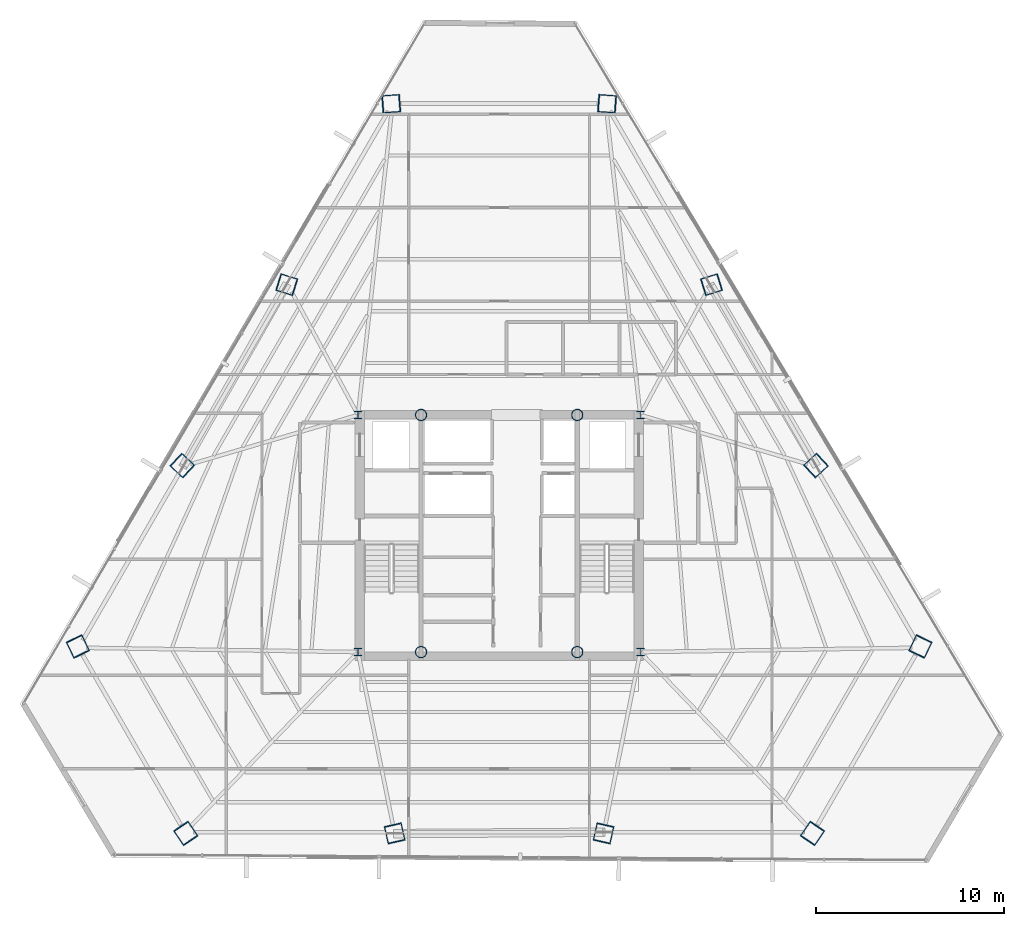
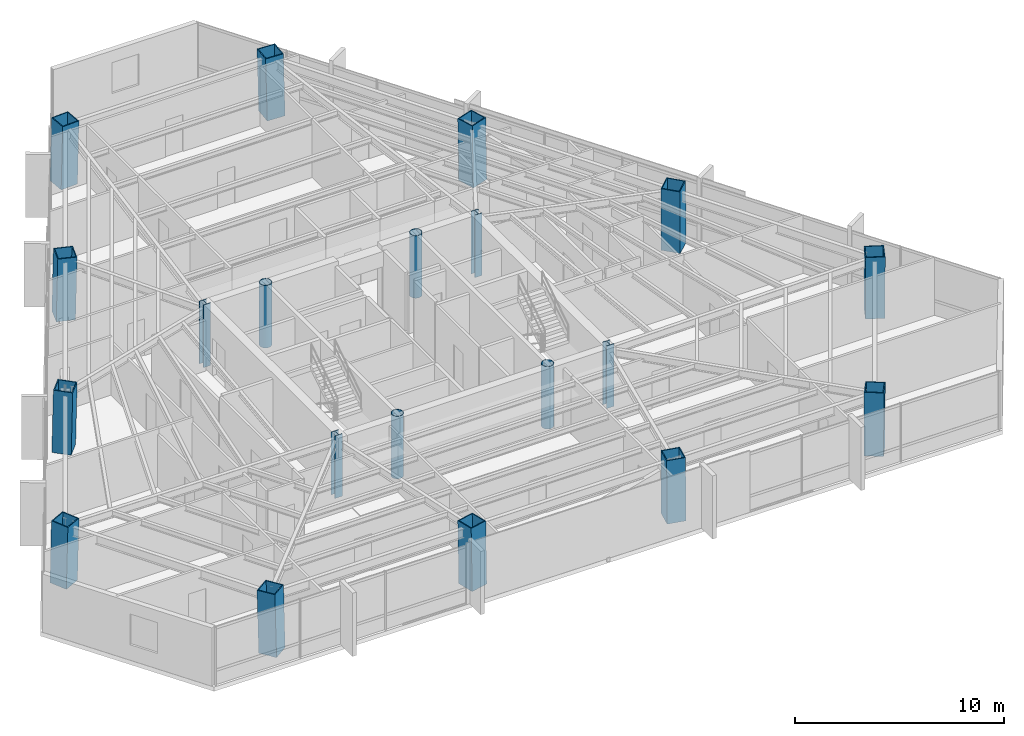
# One storey, part 1 of 40: 20 columns.
"""IFC4 building model written with IfcOpenShell, lengths in metres."""

from ifc_helpers import new_model, si_unit, direction, frame, origin, origin_2d, place, context, subcontext, project, spatial, hollow_rectangle, hollow_circle, i_section, extrude, source, transform, mapped, material, material_profile, profile_set, type_object, type_shapes, element, save


model = new_model("IFC4")

# Units and contexts
model_context = context("Model", 3, precision=1e-05, world=origin(), true_north=direction((0.0, 1.0)))
body_context = subcontext(model_context, "Body", "Model", "MODEL_VIEW")
ifc_project = project(units=[si_unit("LENGTHUNIT", "METRE"), si_unit("AREAUNIT", "SQUARE_METRE"), si_unit("VOLUMEUNIT", "CUBIC_METRE"), si_unit("PLANEANGLEUNIT", "RADIAN"), si_unit("MASSUNIT", "GRAM", prefix="KILO")], contexts=[model_context])

# Site, building, storey
site_placement = place(None, origin())
site = spatial("IfcSite", under=ifc_project, at=site_placement, CompositionType="ELEMENT")
building_placement = place(site_placement, origin())
building = spatial("IfcBuilding", under=site, at=building_placement, Name="Caelisora Broadcast Tower", CompositionType="ELEMENT")
storey_placement = place(building_placement, frame((0.0, 0.0, 176.75)))
storey = spatial("IfcBuildingStorey", under=building, at=storey_placement, Name="L46", CompositionType="ELEMENT", Elevation=176.75)

# Columns
ifc_material_1 = material(Name="Steel Grade 350 (AS/NZS 3679.2)", Category="steel")
ifc_material_profile_1 = material_profile(ifc_material_1, i_section(OverallWidth=0.39990234375, OverallDepth=0.39990234375, WebThickness=0.02001953125, FlangeThickness=0.031982421875, at=origin_2d()), Name="Steel Grade 350 (AS/NZS 3679.2)")
ifc_profile_set_1 = profile_set([ifc_material_profile_1], Name="Steel Grade 350 (AS/NZS 3679.2)")
column_type_1 = type_object("IfcColumnType", Name="CC02", PredefinedType="COLUMN", material=ifc_profile_set_1)
shared_shape_1 = source(origin(), body_context, "Body", "SweptSolid", [
    extrude(i_section(OverallWidth=0.39990234375, OverallDepth=0.39990234375, WebThickness=0.02001953125, FlangeThickness=0.031982421875, at=origin_2d()), origin(), (0.0, 0.0, 1.0), 3.64990234375),
])
type_shapes(column_type_1, [shared_shape_1])
for number, where, z_axis, x_axis, name in (
    (1, (30.5, 17.39990234375, 0.0), (0.0, 0.0, 1.0), (1.0, 0.0, 0.0), "L46 column CC02"),
    (2, (45.5, 17.39990234375, 0.0), (0.0, 0.0, 1.0), (1.0, 0.0, 0.0), "L46 column CC02"),
    (3, (45.5, 30.0, 0.0), (0.0, 0.0, 1.0), (1.0, 0.0, 0.0), "L46 column CC02"),
    (4, (30.5, 30.0, 0.0), (0.0, 0.0, 1.0), (1.0, 0.0, 0.0), "L46 column CC02"),
):
    element("IfcColumn", number, at=place(storey_placement, frame(where, z_axis=z_axis, x_axis=x_axis)), inside=storey, type_object=column_type_1, Name=name, PredefinedType="COLUMN", context=body_context, shape_type="MappedRepresentation", body=[
        mapped(shared_shape_1, transform((0.0, 0.0, 0.0), scale=1.0)),
    ])
ifc_material_2 = material(Name="Steel Grade 350 L15 (AS/NZS 3678)", Category="steel")
ifc_material_profile_2 = material_profile(ifc_material_2, hollow_circle(Radius=0.304931640625, WallThickness=0.02490234375, at=origin_2d()), Name="Steel Grade 350 L15 (AS/NZS 3678)")
ifc_profile_set_2 = profile_set([ifc_material_profile_2], Name="Steel Grade 350 L15 (AS/NZS 3678)")
column_type_2 = type_object("IfcColumnType", Name="CC06", PredefinedType="COLUMN", material=ifc_profile_set_2)
shared_shape_2 = source(origin(), body_context, "Body", "SweptSolid", [
    extrude(hollow_circle(Radius=0.304931640625, WallThickness=0.02490234375, at=origin_2d()), origin(), (0.0, 0.0, 1.0), 3.64990234375),
])
type_shapes(column_type_2, [shared_shape_2])
for number, where, z_axis, x_axis, name in (
    (5, (33.85009765625, 17.39990234375, 0.0), (0.0, 0.0, 1.0), (1.0, 0.0, 0.0), "L46 column CC06"),
    (6, (42.14990234375, 17.39990234375, 0.0), (0.0, 0.0, 1.0), (1.0, 0.0, 0.0), "L46 column CC06"),
    (7, (33.85009765625, 30.0, 0.0), (0.0, 0.0, 1.0), (1.0, 0.0, 0.0), "L46 column CC06"),
    (8, (42.14990234375, 30.0, 0.0), (0.0, 0.0, 1.0), (1.0, 0.0, 0.0), "L46 column CC06"),
):
    element("IfcColumn", number, at=place(storey_placement, frame(where, z_axis=z_axis, x_axis=x_axis)), inside=storey, type_object=column_type_2, Name=name, PredefinedType="COLUMN", context=body_context, shape_type="MappedRepresentation", body=[
        mapped(shared_shape_2, transform((0.0, 0.0, 0.0), scale=1.0)),
    ])
ifc_material_profile_3 = material_profile(ifc_material_2, hollow_rectangle(XDim=0.949951171875, YDim=0.949951171875, WallThickness=0.050048828125, at=origin_2d()), Name="Steel Grade 350 L15 (AS/NZS 3678)")
ifc_profile_set_3 = profile_set([ifc_material_profile_3], Name="Steel Grade 350 L15 (AS/NZS 3678)")
column_type_3 = type_object("IfcColumnType", Name="MC04", PredefinedType="COLUMN", material=ifc_profile_set_3)
shared_shape_3 = source(origin(), body_context, "Body", "SweptSolid", [
    extrude(hollow_rectangle(XDim=0.949951171875, YDim=0.949951171875, WallThickness=0.050048828125, at=origin_2d()), origin(), (0.0, 0.0, 1.0), 3.65087890625),
])
for number, where, z_axis, x_axis, name in (
    (9, (43.748779296875, 46.534423828125, 0.0), (-0.023872754168, 0.001805502416, 0.999713374808), (-0.075414875552, -0.997152243414, 0.0), "L46 column MC04"),
    (10, (32.251220703125, 46.534423828125, 0.0), (0.023872754168, 0.001805502416, 0.999713374808), (-0.075414875552, 0.997152243414, 0.0), "L46 column MC04"),
    (11, (15.610107421875, 17.711181640625, 0.0), (0.010431795422, -0.021532295679, 0.999713727968), (0.899947055326, 0.435999194506, 0.0), "L46 column MC04"),
    (12, (21.35888671875, 7.75439453125, 0.0), (-0.013440967269, 0.019793663242, 0.999713734673), (-0.827290216258, -0.561774775229, 0.0), "L46 column MC04"),
    (13, (54.64111328125, 7.75439453125, 0.0), (0.013440967269, 0.019793663242, 0.999713734673), (-0.827290216258, 0.561774775229, 0.0), "L46 column MC04"),
    (14, (60.389892578125, 17.711181640625, 0.0), (-0.010431795422, -0.021532295679, 0.999713727968), (0.899947055326, -0.435999194506, 0.0), "L46 column MC04"),
):
    element("IfcColumn", number, at=place(storey_placement, frame(where, z_axis=z_axis, x_axis=x_axis)), inside=storey, type_object=column_type_3, Name=name, PredefinedType="COLUMN", context=body_context, shape_type="MappedRepresentation", body=[
        mapped(shared_shape_3, transform((0.0, 0.0, 0.0), scale=1.0)),
    ])
shared_shape_4 = source(origin(), body_context, "Body", "SweptSolid", [
    extrude(hollow_rectangle(XDim=0.949951171875, YDim=0.949951171875, WallThickness=0.050048828125, at=origin_2d()), origin(), (0.0, 0.0, 1.0), 3.650634765625),
])
type_shapes(column_type_3, [shared_shape_3, shared_shape_4])
for number, where, z_axis, x_axis, name in (
    (15, (26.704345703125, 36.9267578125, 0.0), (0.019393993486, -0.006018825565, 0.999793802119), (0.296399214872, 0.955064136811, 0.0), "L46 column MC04"),
    (16, (21.1572265625, 27.319091796875, 0.0), (0.014913299626, -0.013843287097, 0.999792957015), (0.680325028146, 0.732910537568, 0.0), "L46 column MC04"),
    (17, (32.452880859375, 7.75439453125, 0.0), (-0.004480682206, 0.019795252729, 0.999794014513), (-0.975326687046, -0.220766513622, 0.0), "L46 column MC04"),
    (18, (43.547119140625, 7.75439453125, 0.0), (0.004480682206, 0.019795252729, 0.999794014513), (-0.975326687046, 0.220766513622, 0.0), "L46 column MC04"),
    (19, (54.8427734375, 27.319091796875, 0.0), (-0.014913299626, -0.013843287097, 0.999792957015), (0.680325028146, -0.732910537568, 0.0), "L46 column MC04"),
    (20, (49.295654296875, 36.9267578125, 0.0), (-0.019393993486, -0.006018825565, 0.999793802119), (0.296399214872, -0.955064136811, 0.0), "L46 column MC04"),
):
    element("IfcColumn", number, at=place(storey_placement, frame(where, z_axis=z_axis, x_axis=x_axis)), inside=storey, type_object=column_type_3, Name=name, PredefinedType="COLUMN", context=body_context, shape_type="MappedRepresentation", body=[
        mapped(shared_shape_4, transform((0.0, 0.0, 0.0), scale=1.0)),
    ])

save(model, "model.ifc")
